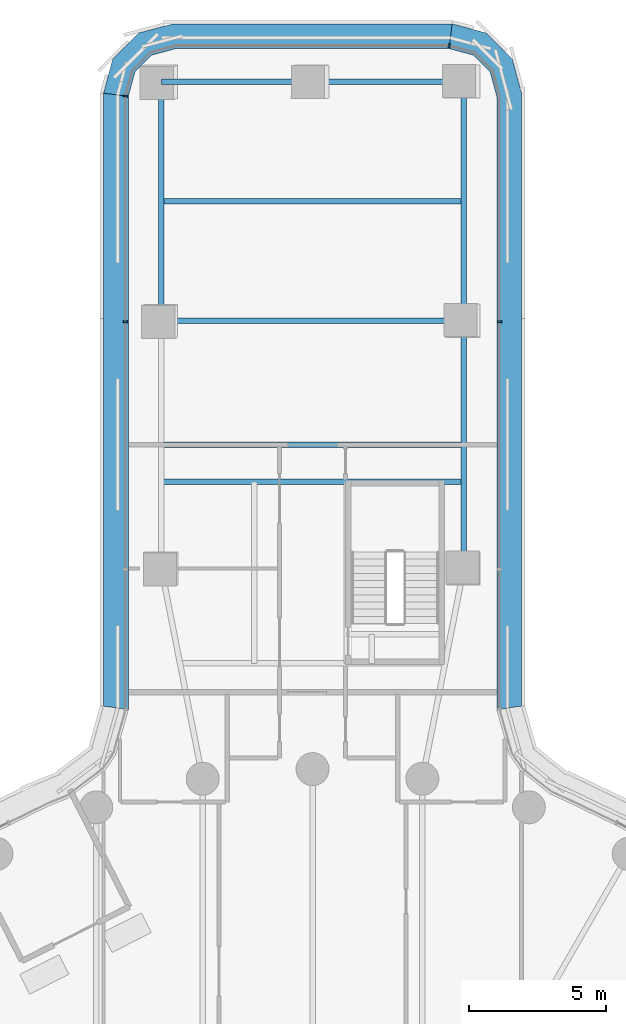
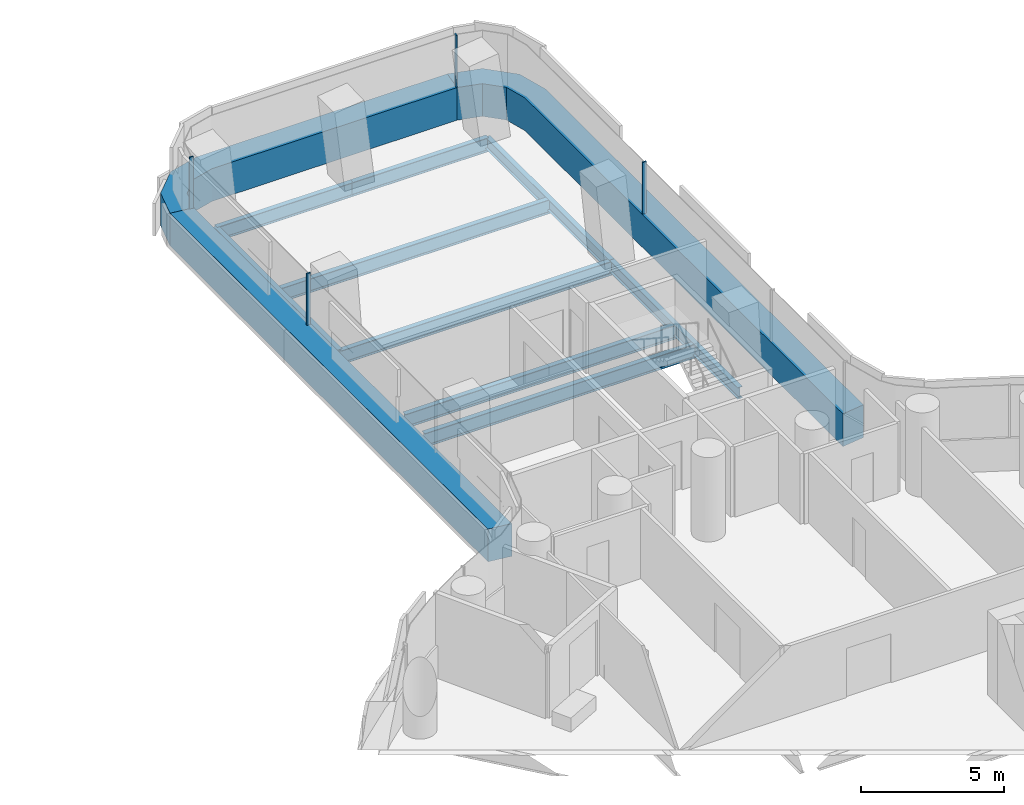
# One storey, part 15 of 32: 9 beams, 7 members, 3 elements without a shape of their own.
"""IFC4 building model written with IfcOpenShell, lengths in metres."""

from ifc_helpers import new_model, si_unit, direction, frame, origin, origin_2d, place, context, subcontext, project, spatial, polyline, rectangle, i_section, outline, extrude, material, layer, layer_set, material_profile, profile_set, type_object, element, aggregate, save


model = new_model("IFC4")

# Units and contexts
model_context = context("Model", 3, precision=1e-05, world=origin(), true_north=direction((0.0, 1.0)))
body_context = subcontext(model_context, "Body", "Model", "MODEL_VIEW")
ifc_project = project(units=[si_unit("LENGTHUNIT", "METRE"), si_unit("AREAUNIT", "SQUARE_METRE"), si_unit("VOLUMEUNIT", "CUBIC_METRE"), si_unit("PLANEANGLEUNIT", "RADIAN"), si_unit("MASSUNIT", "GRAM", prefix="KILO")], contexts=[model_context])

# Site, building, storey
site_placement = place(None, origin())
site = spatial("IfcSite", under=ifc_project, at=site_placement, CompositionType="ELEMENT")
building_placement = place(site_placement, origin())
building = spatial("IfcBuilding", under=site, at=building_placement, Name="Tamarind Cross Interchange Tower", CompositionType="ELEMENT")
storey_placement = place(building_placement, frame((0.0, 0.0, 34.0)))
storey = spatial("IfcBuildingStorey", under=building, at=storey_placement, Name="L06", CompositionType="ELEMENT", Elevation=34.0)

# Beams
ifc_material_1 = material(Name="Steel Q355B", Category="steel")
ifc_material_profile_1 = material_profile(ifc_material_1, i_section(OverallWidth=0.198974609375, OverallDepth=0.49609375, WebThickness=0.009033203125, FlangeThickness=0.013916015625, FilletRadius=0.012939453125, at=origin_2d()), Name="HN 496x199x9x14")
ifc_profile_set_1 = profile_set([ifc_material_profile_1], Name="Steel Q355B")
beam_type_1 = type_object("IfcBeamType", Name="Composite beam HN 496x199x9x14 Q355B", PredefinedType="BEAM", material=ifc_profile_set_1)
beam_1_placement = place(storey_placement, frame((5.5, 48.007568359375, -0.387939453125), z_axis=(0.0, -1.0, 0.0), x_axis=(1.0, 0.0, 0.0)))
element("IfcBeam", 1, at=beam_1_placement, inside=storey, type_object=beam_type_1, Name="Beam N-edgeem5", PredefinedType="BEAM", context=body_context, shape_type="SweptSolid", body=[
    extrude(i_section(OverallWidth=0.198974609375, OverallDepth=0.49609375, WebThickness=0.009033203125, FlangeThickness=0.013916015625, FilletRadius=0.012939453125, at=origin_2d()), origin(), (0.0, 0.0, 1.0), 8.70751953125),
])
beam_2_placement = place(storey_placement, frame((5.5, 39.300048828125, -0.387939453125), z_axis=(0.0, -1.0, 0.0), x_axis=(1.0, 0.0, 0.0)))
element("IfcBeam", 2, at=beam_2_placement, inside=storey, type_object=beam_type_1, Name="Beam N-edgeem6", PredefinedType="BEAM", context=body_context, shape_type="SweptSolid", body=[
    extrude(i_section(OverallWidth=0.198974609375, OverallDepth=0.49609375, WebThickness=0.009033203125, FlangeThickness=0.013916015625, FilletRadius=0.012939453125, at=origin_2d()), origin(), (0.0, 0.0, 1.0), 9.0),
])
beam_3_placement = place(storey_placement, frame((-5.5, 48.007568359375, -0.387939453125), z_axis=(0.0, -1.0, 0.0), x_axis=(1.0, 0.0, 0.0)))
element("IfcBeam", 3, at=beam_3_placement, inside=storey, type_object=beam_type_1, Name="Beam N-edgeep2", PredefinedType="BEAM", context=body_context, shape_type="SweptSolid", body=[
    extrude(i_section(OverallWidth=0.198974609375, OverallDepth=0.49609375, WebThickness=0.009033203125, FlangeThickness=0.013916015625, FilletRadius=0.012939453125, at=origin_2d()), origin(), (0.0, 0.0, 1.0), 8.70751953125),
])
ifc_material_profile_2 = material_profile(ifc_material_1, i_section(OverallWidth=0.199951171875, OverallDepth=0.60009765625, WebThickness=0.010986328125, FlangeThickness=0.01708984375, FilletRadius=0.012939453125, at=origin_2d()), Name="HN 600x200x11x17")
ifc_profile_set_2 = profile_set([ifc_material_profile_2], Name="Steel Q355B")
beam_type_2 = type_object("IfcBeamType", Name="Composite beam HN 600x200x11x17 Q355B", PredefinedType="BEAM", material=ifc_profile_set_2)
for number, where, z_axis, x_axis, name in (
    (4, (5.5, 48.007568359375, -0.43994140625), (-1.0, 0.0, 0.0), (0.0, -1.0, 0.0), "Beam N-tip0"),
    (5, (0.0, 48.007568359375, -0.43994140625), (-1.0, 0.0, 0.0), (0.0, -1.0, 0.0), "Beam N-tip1"),
):
    element("IfcBeam", number, at=place(storey_placement, frame(where, z_axis=z_axis, x_axis=x_axis)), inside=storey, type_object=beam_type_2, Name=name, PredefinedType="BEAM", context=body_context, shape_type="SweptSolid", body=[
        extrude(i_section(OverallWidth=0.199951171875, OverallDepth=0.60009765625, WebThickness=0.010986328125, FlangeThickness=0.01708984375, FilletRadius=0.012939453125, at=origin_2d()), origin(), (0.0, 0.0, 1.0), 5.5),
    ])
for number, where, z_axis, x_axis, name in (
    (6, (5.5, 33.449951171875, -0.43994140625), (-1.0, 0.0, 0.0), (0.0, -1.0, 0.0), "Beam N-x334"),
    (7, (5.5, 39.300048828125, -0.43994140625), (-1.0, 0.0, 0.0), (0.0, -1.0, 0.0), "Beam N-x393"),
    (8, (5.5, 34.800048828125, -0.43994140625), (-1.0, 0.0, 0.0), (0.0, -1.0, 0.0), "Beam N-x348"),
    (9, (5.5, 43.65380859375, -0.43994140625), (-1.0, 0.0, 0.0), (0.0, -1.0, 0.0), "Beam N-x437"),
):
    element("IfcBeam", number, at=place(storey_placement, frame(where, z_axis=z_axis, x_axis=x_axis)), inside=storey, type_object=beam_type_2, Name=name, PredefinedType="BEAM", context=body_context, shape_type="SweptSolid", body=[
        extrude(i_section(OverallWidth=0.199951171875, OverallDepth=0.60009765625, WebThickness=0.010986328125, FlangeThickness=0.01708984375, FilletRadius=0.012939453125, at=origin_2d()), origin(), (0.0, 0.0, 1.0), 11.0),
    ])

# Curtain wall, member
ifc_material_2 = material(Name="Aluminium 6063-T6", Category="aluminium")
ifc_layer = layer(ifc_material_2, 0.159912109375)
ifc_layer_set = layer_set([ifc_layer], Name="Aluminium 6063-T6")
curtain_wall_type = type_object("IfcCurtainWallType", Name="Office curtain wall, 9.0 m bays", PredefinedType="NOTDEFINED", material=ifc_layer_set)
curtain_wall_1_placement = place(storey_placement, origin())
curtain_wall_1 = element("IfcCurtainWall", 10, at=curtain_wall_1_placement, inside=storey, type_object=curtain_wall_type, Name="CWS-L06-12", PredefinedType="NOTDEFINED")
ifc_material_3 = material(Name="Aluminium and insulated spandrel panel", Category="aluminium")
member_type_1 = type_object("IfcMemberType", Name="Floor-edge blade transom", PredefinedType="USERDEFINED", material=ifc_material_3)
member_1_placement = place(storey_placement, origin())
member_1 = element("IfcMember", 11, at=member_1_placement, type_object=member_type_1, Name="CWT-L06-12", ObjectType="TRANSOM", PredefinedType="USERDEFINED", context=body_context, shape_type="SweptSolid", body=[
    extrude(outline(polyline([(6.699951171875, 25.167724609375), (6.699951171875, 47.468017578125), (6.463134765625, 48.352294921875), (5.8447265625, 48.970703125), (4.96044921875, 49.20751953125), (5.0791015625, 50.107666015625), (6.310546875, 49.777587890625), (7.27001953125, 48.818115234375), (7.60009765625, 47.586669921875), (7.60009765625, 25.291015625), (6.699951171875, 25.167724609375)])), origin(), (0.0, 0.0, 1.0), 1.39990234375),
])

curtain_wall_2_placement = place(storey_placement, origin())
curtain_wall_2 = element("IfcCurtainWall", 12, at=curtain_wall_2_placement, inside=storey, type_object=curtain_wall_type, Name="CWS-L06-13", PredefinedType="NOTDEFINED")
member_2_placement = place(storey_placement, origin())
member_2 = element("IfcMember", 13, at=member_2_placement, type_object=member_type_1, Name="CWT-L06-13", ObjectType="TRANSOM", PredefinedType="USERDEFINED", context=body_context, shape_type="SweptSolid", body=[
    extrude(outline(polyline([(4.96044921875, 49.20751953125), (-4.96044921875, 49.20751953125), (-5.8447265625, 48.970703125), (-6.463134765625, 48.352294921875), (-6.699951171875, 47.468017578125), (-7.60009765625, 47.586669921875), (-7.27001953125, 48.818115234375), (-6.310546875, 49.777587890625), (-5.0791015625, 50.107666015625), (5.0791015625, 50.107666015625), (4.96044921875, 49.20751953125)])), origin(), (0.0, 0.0, 1.0), 1.39990234375),
])

curtain_wall_3_placement = place(storey_placement, origin())
curtain_wall_3 = element("IfcCurtainWall", 14, at=curtain_wall_3_placement, inside=storey, type_object=curtain_wall_type, Name="CWS-L06-14", PredefinedType="NOTDEFINED")
member_3_placement = place(storey_placement, origin())
member_3 = element("IfcMember", 15, at=member_3_placement, type_object=member_type_1, Name="CWT-L06-14", ObjectType="TRANSOM", PredefinedType="USERDEFINED", context=body_context, shape_type="SweptSolid", body=[
    extrude(outline(polyline([(-6.699951171875, 47.468017578125), (-6.699951171875, 25.167724609375), (-7.60009765625, 25.291015625), (-7.60009765625, 47.586669921875), (-6.699951171875, 47.468017578125)])), origin(), (0.0, 0.0, 1.0), 1.39990234375),
])

# Member
ifc_material_profile_3 = material_profile(ifc_material_2, rectangle(XDim=0.06005859375, YDim=0.159912109375, at=origin_2d()), Name="Mullion CW1")
ifc_profile_set_3 = profile_set([ifc_material_profile_3], Name="Aluminium 6063-T6")
member_type_2 = type_object("IfcMemberType", Name="Mullion CW1", PredefinedType="MULLION", material=ifc_profile_set_3)
member_4_placement = place(storey_placement, frame((6.800048828125, 39.273193359375, 1.39990234375), z_axis=(0.0, 0.0, 1.0), x_axis=(0.0, 1.0, 0.0)))
member_4 = element("IfcMember", 16, at=member_4_placement, type_object=member_type_2, Name="CWM-L06-12-02", PredefinedType="MULLION", context=body_context, shape_type="SweptSolid", body=[
    extrude(rectangle(XDim=0.06005859375, YDim=0.159912109375, at=origin_2d()), origin(), (0.0, 0.0, 1.0), 2.210205078125),
])

aggregate(curtain_wall_1, [member_4, member_1])

member_5_placement = place(storey_placement, frame((4.9736328125, 49.3076171875, 1.39990234375), z_axis=(0.0, 0.0, 1.0), x_axis=(-0.991444861374, 0.13052619222, 0.0)))
member_5 = element("IfcMember", 17, at=member_5_placement, type_object=member_type_2, Name="CWM-L06-13-00", PredefinedType="MULLION", context=body_context, shape_type="SweptSolid", body=[
    extrude(rectangle(XDim=0.06005859375, YDim=0.159912109375, at=origin_2d()), origin(), (0.0, 0.0, 1.0), 2.210205078125),
])

aggregate(curtain_wall_2, [member_5, member_2])

member_6_placement = place(storey_placement, frame((-6.800048828125, 47.481201171875, 1.39990234375), z_axis=(0.0, 0.0, 1.0), x_axis=(-0.13052619222, -0.991444861374, 0.0)))
member_6 = element("IfcMember", 18, at=member_6_placement, type_object=member_type_2, Name="CWM-L06-14-00", PredefinedType="MULLION", context=body_context, shape_type="SweptSolid", body=[
    extrude(rectangle(XDim=0.06005859375, YDim=0.159912109375, at=origin_2d()), origin(), (0.0, 0.0, 1.0), 2.210205078125),
])

member_7_placement = place(storey_placement, frame((-6.800048828125, 39.273193359375, 1.39990234375), z_axis=(0.0, 0.0, 1.0), x_axis=(0.0, -1.0, 0.0)))
member_7 = element("IfcMember", 19, at=member_7_placement, type_object=member_type_2, Name="CWM-L06-14-01", PredefinedType="MULLION", context=body_context, shape_type="SweptSolid", body=[
    extrude(rectangle(XDim=0.06005859375, YDim=0.159912109375, at=origin_2d()), origin(), (0.0, 0.0, 1.0), 2.210205078125),
])

aggregate(curtain_wall_3, [member_6, member_7, member_3])

save(model, "model.ifc")
